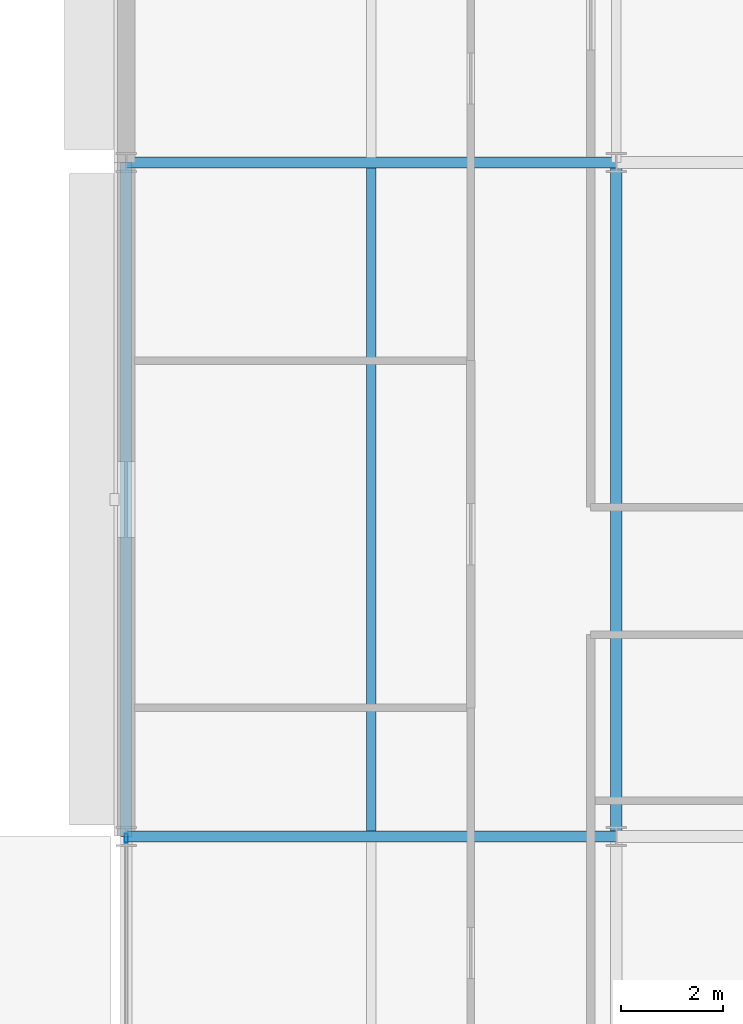
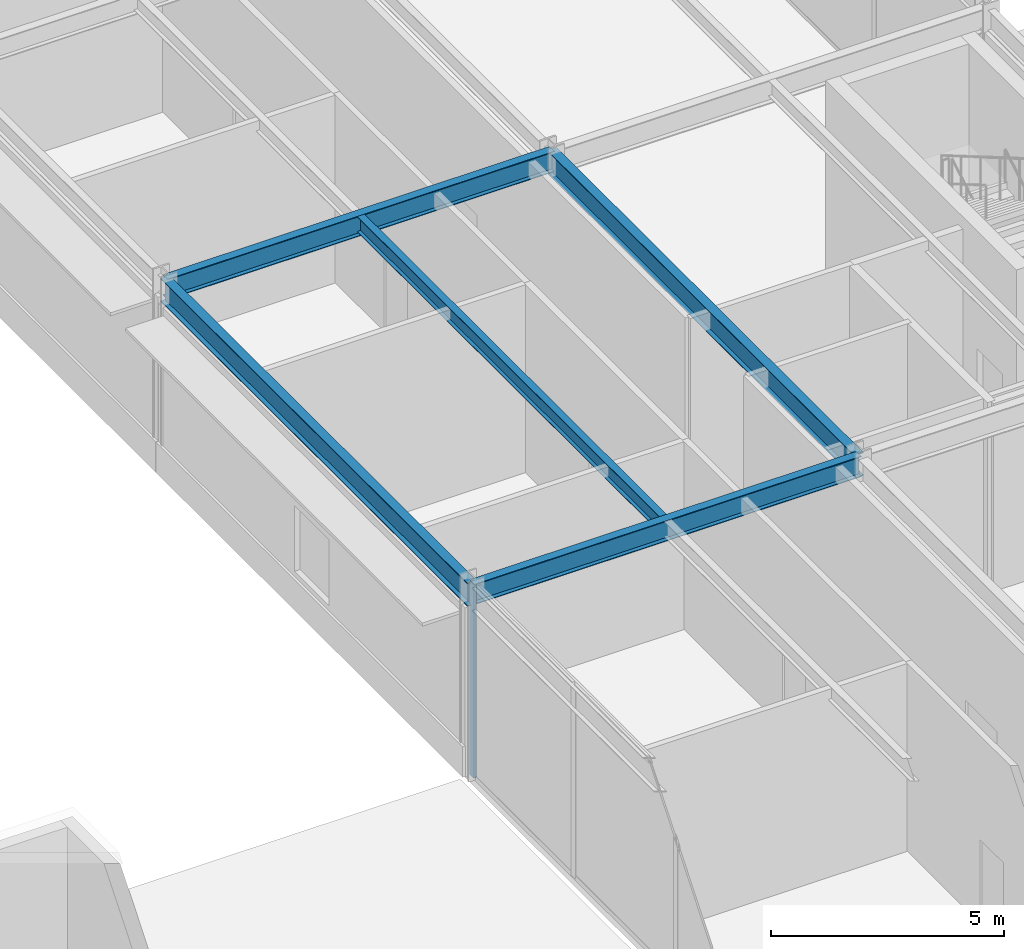
# One storey, part 104 of 168: 5 beams, 1 member, 1 element without a shape of its own.
"""IFC4 building model written with IfcOpenShell, lengths in metres."""

from ifc_helpers import new_model, si_unit, direction, frame, origin, origin_2d, place, context, subcontext, project, spatial, hollow_rectangle, i_section, extrude, material, material_profile, profile_set, type_object, element, aggregate, save


model = new_model("IFC4")

# Units and contexts
model_context = context("Model", 3, precision=1e-05, world=origin(), true_north=direction((0.0, 1.0)))
body_context = subcontext(model_context, "Body", "Model", "MODEL_VIEW")
ifc_project = project(units=[si_unit("LENGTHUNIT", "METRE"), si_unit("AREAUNIT", "SQUARE_METRE"), si_unit("VOLUMEUNIT", "CUBIC_METRE"), si_unit("PLANEANGLEUNIT", "RADIAN"), si_unit("MASSUNIT", "GRAM", prefix="KILO")], contexts=[model_context])

# Site, building, storey
site_placement = place(None, origin())
site = spatial("IfcSite", under=ifc_project, at=site_placement, CompositionType="ELEMENT")
building_placement = place(site_placement, origin())
building = spatial("IfcBuilding", under=site, at=building_placement, Name="Almandine Court Research Institute", CompositionType="ELEMENT")
storey_placement = place(building_placement, origin())
storey = spatial("IfcBuildingStorey", under=building, at=storey_placement, Name="L00", CompositionType="ELEMENT", Elevation=0.0)

# Beams
ifc_material_1 = material(Name="Steel ASTM A992 Grade 50", Category="steel")
ifc_material_profile_1 = material_profile(ifc_material_1, i_section(OverallWidth=0.178955078125, OverallDepth=0.409912109375, WebThickness=0.009033203125, FlangeThickness=0.013916015625, at=origin_2d()), Name="W410x67")
ifc_profile_set_1 = profile_set([ifc_material_profile_1], Name="Steel ASTM A992 Grade 50")
beam_type_1 = type_object("IfcBeamType", Name="Beam-B-02", PredefinedType="JOIST", material=ifc_profile_set_1)
beam_placement = place(storey_placement, frame((158.39990234375, 70.903076171875, 4.864990234375), z_axis=(0.0, 1.0, 0.0), x_axis=(-1.0, 0.0, 0.0)))
element("IfcBeam", 1, at=beam_placement, inside=storey, type_object=beam_type_1, Name="L00 V4 Composite Secondary Beam", PredefinedType="JOIST", context=body_context, shape_type="SweptSolid", body=[
    extrude(i_section(OverallWidth=0.178955078125, OverallDepth=0.409912109375, WebThickness=0.009033203125, FlangeThickness=0.013916015625, at=origin_2d()), origin(), (0.0, 0.0, 1.0), 12.993896484375),
])
ifc_material_profile_2 = material_profile(ifc_material_1, i_section(OverallWidth=0.22802734375, OverallDepth=0.60791015625, WebThickness=0.010986328125, FlangeThickness=0.01708984375, at=origin_2d()), Name="W610x113")
ifc_profile_set_2 = profile_set([ifc_material_profile_2], Name="Steel ASTM A992 Grade 50")
beam_type_2 = type_object("IfcBeamType", Name="Beam-G-03", PredefinedType="BEAM", material=ifc_profile_set_2)
for number, where, z_axis, x_axis, name in (
    (2, (153.60009765625, 70.800048828125, 4.76611328125), (0.0, 1.0, 0.0), (-1.0, 0.0, 0.0), "L00 V4 Primary Y Girder"),
    (3, (163.199951171875, 70.800048828125, 4.76611328125), (0.0, 1.0, 0.0), (-1.0, 0.0, 0.0), "L00 V4 Primary Y Girder"),
):
    element("IfcBeam", number, at=place(storey_placement, frame(where, z_axis=z_axis, x_axis=x_axis)), inside=storey, type_object=beam_type_2, Name=name, PredefinedType="BEAM", context=body_context, shape_type="SweptSolid", body=[
        extrude(i_section(OverallWidth=0.22802734375, OverallDepth=0.60791015625, WebThickness=0.010986328125, FlangeThickness=0.01708984375, at=origin_2d()), origin(), (0.0, 0.0, 1.0), 13.199951171875),
    ])
ifc_material_profile_3 = material_profile(ifc_material_1, i_section(OverallWidth=0.2109375, OverallDepth=0.5390625, WebThickness=0.011962890625, FlangeThickness=0.01904296875, at=origin_2d()), Name="W530x109")
ifc_profile_set_3 = profile_set([ifc_material_profile_3], Name="Steel ASTM A992 Grade 50")
beam_type_3 = type_object("IfcBeamType", Name="Beam-G-04", PredefinedType="BEAM", material=ifc_profile_set_3)
for number, where, z_axis, x_axis, name in (
    (4, (153.60009765625, 70.800048828125, 4.801025390625), (1.0, 0.0, 0.0), (0.0, 1.0, 0.0), "L00 V4 Primary X Girder"),
    (5, (153.60009765625, 84.0, 4.801025390625), (1.0, 0.0, 0.0), (0.0, 1.0, 0.0), "L00 V4 Primary X Girder"),
):
    element("IfcBeam", number, at=place(storey_placement, frame(where, z_axis=z_axis, x_axis=x_axis)), inside=storey, type_object=beam_type_3, Name=name, PredefinedType="BEAM", context=body_context, shape_type="SweptSolid", body=[
        extrude(i_section(OverallWidth=0.2109375, OverallDepth=0.5390625, WebThickness=0.011962890625, FlangeThickness=0.01904296875, at=origin_2d()), origin(), (0.0, 0.0, 1.0), 9.599853515625),
    ])

# Curtain wall, member
ifc_material_2 = material(Name="Unitised Curtain Wall Framing and Solar Glazing", Category="glass")
curtain_wall_type = type_object("IfcCurtainWallType", Name="CW-CWJ-14", PredefinedType="USERDEFINED", material=ifc_material_2)
curtain_wall_placement = place(storey_placement, origin())
curtain_wall = element("IfcCurtainWall", 6, at=curtain_wall_placement, inside=storey, type_object=curtain_wall_type, Name="L00 Wet Lab West Courtyard Jali Curtain Wall 4", ObjectType="SOLAR JALI SCREEN", PredefinedType="USERDEFINED")
ifc_material_3 = material(Name="Anodised Aluminium AW-6063-T6", Category="aluminium")
ifc_material_profile_4 = material_profile(ifc_material_3, hollow_rectangle(XDim=0.06494140625, YDim=0.179931640625, WallThickness=0.00390625, at=origin_2d()), Name="ALU RHS 65x180x4")
ifc_profile_set_4 = profile_set([ifc_material_profile_4], Name="Anodised Aluminium AW-6063-T6")
member_type = type_object("IfcMemberType", Name="CWMul-65x180", PredefinedType="MULLION", material=ifc_profile_set_4)
member_placement = place(storey_placement, frame((153.60009765625, 70.763427734375, 0.0), z_axis=(0.0, 0.0, 1.0), x_axis=(-1.0, 0.0, 0.0)))
member = element("IfcMember", 7, at=member_placement, type_object=member_type, Name="CWJ-14 mullion 4", PredefinedType="MULLION", context=body_context, shape_type="SweptSolid", body=[
    extrude(hollow_rectangle(XDim=0.06494140625, YDim=0.179931640625, WallThickness=0.00390625, at=origin_2d()), origin(), (0.0, 0.0, 1.0), 5.070068359375),
])
aggregate(curtain_wall, [member])

save(model, "model.ifc")
